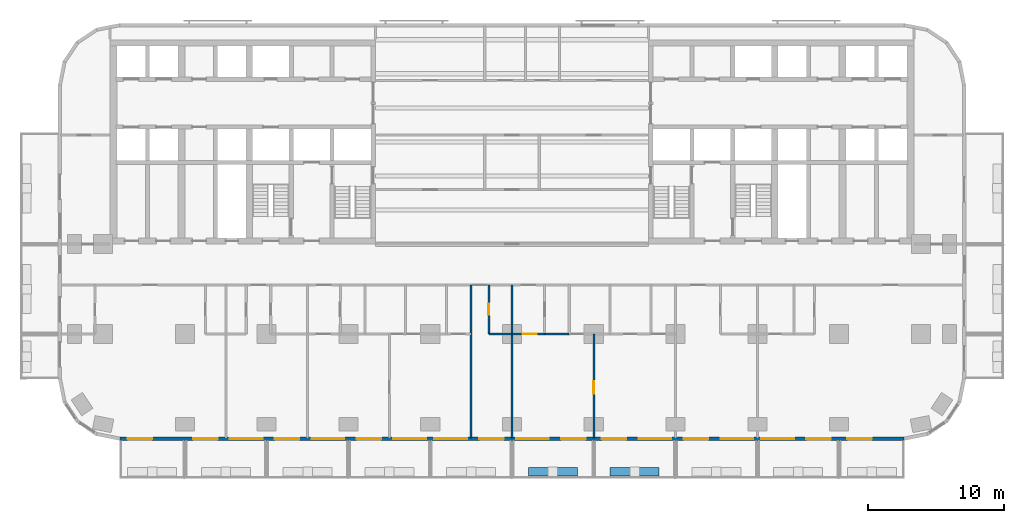
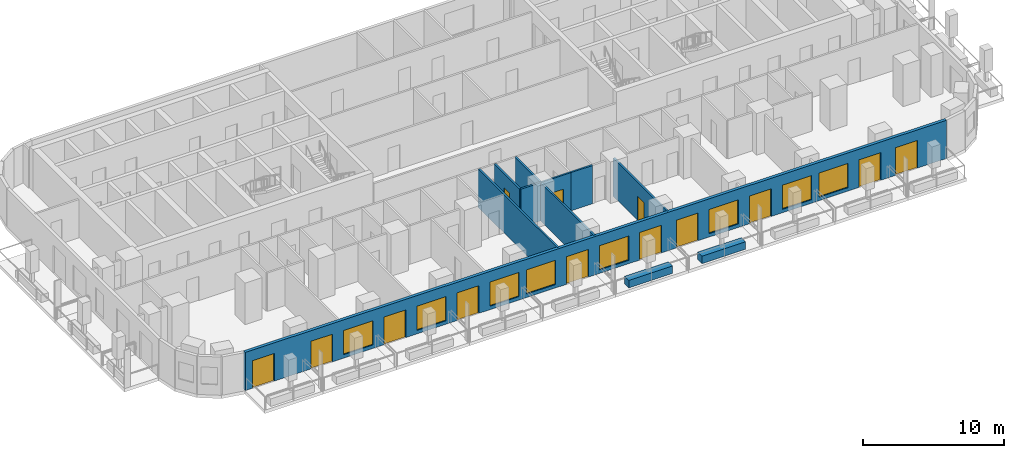
# One storey, part 5 of 14: 13 doors, 11 walls, 8 windows, 21 openings.
"""IFC4 building model written with IfcOpenShell, lengths in metres."""

import ifcopenshell
import ifcopenshell.guid

model = None  # the IFC model being written
_history = None  # IfcOwnerHistory: only IFC2X3 demands one
_inside = {}  # id of a spatial element -> (the spatial element, [elements in it])
_under = {}  # id of a project, library or spatial element -> (it, [spatial elements below it])
_declared = {}  # id of a project -> (the project, [libraries it declares])
_typed = {}  # id of a type object -> (the type object, [elements of that type])
_made_of = {}  # id of a material, layer set ... -> (it, [elements and type objects made of it])


def new_model(schema):
    """Start an empty IFC model of exactly this schema.

    Asked for "IFC4X3", IfcOpenShell would pick the latest addendum, in which some entities
    have other attributes; the version numbers below select the first issue.
    IFC2X3 requires an IfcOwnerHistory on every rooted entity: one is made here for all.
    """
    global model, _history
    if schema == "IFC4X3":
        model = ifcopenshell.file(schema_version=(4, 3, 0, 0))
    else:
        model = ifcopenshell.file(schema=schema)
    _inside.clear()
    _under.clear()
    _declared.clear()
    _typed.clear()
    _made_of.clear()
    _history = None
    if model.schema == "IFC2X3":
        org = make("IfcOrganization", Name="unknown")
        user = make(
            "IfcPersonAndOrganization",
            ThePerson=make("IfcPerson", FamilyName="unknown"),
            TheOrganization=org,
        )
        app = make(
            "IfcApplication",
            ApplicationDeveloper=org,
            Version="unknown",
            ApplicationFullName="unknown",
            ApplicationIdentifier="unknown",
        )
        _history = make(
            "IfcOwnerHistory",
            OwningUser=user,
            OwningApplication=app,
            ChangeAction="ADDED",
            CreationDate=0,
        )
    return model


def make(cls, **values):
    """One entity of the class cls with the attributes given. An attribute that is None is left unset."""
    return model.create_entity(
        cls, **{name: value for name, value in values.items() if value is not None}
    )


def rooted(cls, **values):
    """An entity with a GlobalId (a new one), such as an element, a storey or a relation."""
    return make(cls, GlobalId=ifcopenshell.guid.new(), OwnerHistory=_history, **values)


def si_unit(unit_type, name, prefix=None):
    """IfcSIUnit, for example si_unit("LENGTHUNIT", "METRE", prefix="MILLI")."""
    return make("IfcSIUnit", UnitType=unit_type, Prefix=prefix, Name=name)


def assignment(units):
    """IfcUnitAssignment: the units of a project."""
    return None if units is None else make("IfcUnitAssignment", Units=units)


def point(xyz):
    """IfcCartesianPoint."""
    return None if xyz is None else make("IfcCartesianPoint", Coordinates=xyz)


def direction(xyz):
    """IfcDirection."""
    return None if xyz is None else make("IfcDirection", DirectionRatios=xyz)


def frame(location, z_axis=None, x_axis=None):
    """IfcAxis2Placement3D, a coordinate frame: its origin and axes. An axis left out is left unset."""
    return make(
        "IfcAxis2Placement3D",
        Location=point(location),
        Axis=direction(z_axis),
        RefDirection=direction(x_axis),
    )


def frame_2d(location, x_axis=None):
    """IfcAxis2Placement2D, a coordinate frame in the plane: its origin and x axis."""
    return make(
        "IfcAxis2Placement2D", Location=point(location), RefDirection=direction(x_axis)
    )


def origin():
    """The frame at (0, 0, 0) with its axes left unset."""
    return frame((0.0, 0.0, 0.0))


def place(relative_to, where):
    """IfcLocalPlacement: puts the frame where relative to a parent placement (None: the world)."""
    return make(
        "IfcLocalPlacement", PlacementRelTo=relative_to, RelativePlacement=where
    )


def context(
    kind, dimensions, precision=None, world=None, true_north=None, identifier=None
):
    """IfcGeometricRepresentationContext, for example the 3D "Model" context."""
    return make(
        "IfcGeometricRepresentationContext",
        ContextIdentifier=identifier,
        ContextType=kind,
        CoordinateSpaceDimension=dimensions,
        Precision=precision,
        WorldCoordinateSystem=world,
        TrueNorth=true_north,
    )


def subcontext(parent, identifier, kind, view, scale=None):
    """IfcGeometricRepresentationSubContext, for example "Body" below "Model"."""
    return make(
        "IfcGeometricRepresentationSubContext",
        ContextIdentifier=identifier,
        ContextType=kind,
        ParentContext=parent,
        TargetScale=scale,
        TargetView=view,
    )


def project(units=None, contexts=None):
    """IfcProject with its units and contexts."""
    return rooted(
        "IfcProject",
        Name="project",
        RepresentationContexts=contexts,
        UnitsInContext=assignment(units),
    )


def spatial(cls, under=None, at=None, **own):
    """A site, building, storey or space (cls), placed at a placement, below another one or the project."""
    s = rooted(cls, ObjectPlacement=at, **own)
    if under is not None:
        _under.setdefault(under.id(), (under, []))[1].append(s)
    return s


def profile(cls, at=None, kind="AREA", **sizes):
    """A parametric profile (cls). Its sizes go by their IFC names, for example OverallWidth=200.0."""
    return make(cls, ProfileType=kind, Position=at, **sizes)


def rectangle(**sizes):
    """IfcRectangleProfileDef."""
    return profile("IfcRectangleProfileDef", **sizes)


def extrude(swept, where, along, depth):
    """IfcExtrudedAreaSolid: the profile swept, set in the frame where, extruded along a direction by depth."""
    return make(
        "IfcExtrudedAreaSolid",
        SweptArea=swept,
        Position=where,
        ExtrudedDirection=direction(along),
        Depth=depth,
    )


def shape(context_of_items, identifier, shape_type, items):
    """IfcShapeRepresentation: the items that make up one representation, for example the "Body"."""
    return make(
        "IfcShapeRepresentation",
        ContextOfItems=context_of_items,
        RepresentationIdentifier=identifier,
        RepresentationType=shape_type,
        Items=items,
    )


def material(Name=None, Category=None):
    """IfcMaterial."""
    return make("IfcMaterial", Name=Name, Category=Category)


def layer(
    of_material, thickness, ventilated=None, Name=None, Category=None, Priority=None
):
    """IfcMaterialLayer: one layer of a wall or slab, of a material (None: an air gap)."""
    return make(
        "IfcMaterialLayer",
        Material=of_material,
        LayerThickness=thickness,
        IsVentilated=ventilated,
        Name=Name,
        Category=Category,
        Priority=Priority,
    )


def layer_set(layers, Name=None):
    """IfcMaterialLayerSet."""
    return make("IfcMaterialLayerSet", MaterialLayers=layers, LayerSetName=Name)


def made_of(thing, what):
    """Note that an element or type object is made of a material, layer set ...; save() writes the relation."""
    if what is not None:
        _made_of.setdefault(what.id(), (what, []))[1].append(thing)
    return thing


def type_object(cls, material=None, **own):
    """A type object (cls), such as IfcWallType, which elements share."""
    return made_of(rooted(cls, **own), material)


def element(
    cls,
    number,
    at=None,
    inside=None,
    cuts=None,
    type_object=None,
    material=None,
    context=None,
    identifier="Body",
    shape_type=None,
    held_by="IfcProductDefinitionShape",
    body=None,
    shapes=None,
    **own,
):
    """One element of the class cls, such as IfcWall. Its Tag is "e" and its number.

    at: its placement. inside: the storey or other place that contains it. cuts: it is an
    opening in that element (IfcRelVoidsElement). A single representation is given by context,
    identifier, shape_type and body (its items); several are given by shapes. held_by: the class
    of the entity that holds the representations. save() writes the other relations.
    """
    e = rooted(cls, Tag="e%d" % number, ObjectPlacement=at, **own)
    if body is not None:
        shapes = [shape(context, identifier, shape_type, body)]
    if shapes is not None:
        e.Representation = make(held_by, Representations=shapes)
    if inside is not None:
        _inside.setdefault(inside.id(), (inside, []))[1].append(e)
    if cuts is not None:
        rooted(
            "IfcRelVoidsElement", RelatingBuildingElement=cuts, RelatedOpeningElement=e
        )
    if type_object is not None:
        _typed.setdefault(type_object.id(), (type_object, []))[1].append(e)
    return made_of(e, material)


def fill(opening, filler):
    """IfcRelFillsElement: the door or window that sits in an opening."""
    return rooted(
        "IfcRelFillsElement",
        RelatingOpeningElement=opening,
        RelatedBuildingElement=filler,
    )


def aggregate(whole, parts):
    """IfcRelAggregates: a whole, such as a stair, and the parts it consists of."""
    return rooted("IfcRelAggregates", RelatingObject=whole, RelatedObjects=parts)


def save(model, path):
    """Write the relations noted so far, then the file.

    IfcRelAggregates (storeys below a building ...), IfcRelContainedInSpatialStructure (elements
    in a storey), IfcRelDefinesByType, IfcRelAssociatesMaterial and IfcRelDeclares: one each for
    every whole, place, type object, material and project.
    """
    for whole, parts in _under.values():
        aggregate(whole, parts)
    for where, things in _inside.values():
        rooted(
            "IfcRelContainedInSpatialStructure",
            RelatedElements=things,
            RelatingStructure=where,
        )
    for kind, things in _typed.values():
        rooted("IfcRelDefinesByType", RelatedObjects=things, RelatingType=kind)
    for what, things in _made_of.values():
        rooted("IfcRelAssociatesMaterial", RelatedObjects=things, RelatingMaterial=what)
    for by, libraries in _declared.values():
        rooted("IfcRelDeclares", RelatingContext=by, RelatedDefinitions=libraries)
    model.write(path)


model = new_model("IFC4")

# Units and contexts
model_context = context("Model", 3, precision=1e-05, world=origin(), true_north=direction((0.0, 1.0)))
body_context = subcontext(model_context, "Body", "Model", "MODEL_VIEW")
ifc_project = project(units=[si_unit("LENGTHUNIT", "METRE"), si_unit("AREAUNIT", "SQUARE_METRE"), si_unit("VOLUMEUNIT", "CUBIC_METRE"), si_unit("PLANEANGLEUNIT", "RADIAN"), si_unit("MASSUNIT", "GRAM", prefix="KILO")], contexts=[model_context])

# Site, building, storey
site_placement = place(None, origin())
site = spatial("IfcSite", under=ifc_project, at=site_placement, CompositionType="ELEMENT")
building_placement = place(site_placement, origin())
building = spatial("IfcBuilding", under=site, at=building_placement, Name="Torana Hotel and Residences", CompositionType="ELEMENT")
storey_placement = place(building_placement, frame((0.0, 0.0, 99.60009765625)))
storey = spatial("IfcBuildingStorey", under=building, at=storey_placement, Name="L25", CompositionType="ELEMENT", Elevation=99.60009765625)

# Wall, openings, doors, windows
ifc_material_1 = material(Name="Black aluminium composite panel", Category="aluminium")
ifc_layer_1 = layer(ifc_material_1, 0.00390625, Name="Cladding", Category="cladding")
ifc_material_2 = material(Name="Ventilated air cavity")
ifc_layer_2 = layer(ifc_material_2, 0.0400390625, Name="Ventilated cavity", Category="cavity")
ifc_material_3 = material(Name="Mineral wool insulation")
ifc_layer_3 = layer(ifc_material_3, 0.090087890625, Name="Insulation", Category="insulation")
ifc_material_4 = material(Name="Steel S280GD", Category="steel")
ifc_layer_4 = layer(ifc_material_4, 0.092041015625, Name="Steel stud frame", Category="structure")
ifc_material_5 = material(Name="Fire rated plasterboard")
ifc_layer_5 = layer(ifc_material_5, 0.011962890625, Name="Inner board", Category="finish")
ifc_layer_6 = layer(ifc_material_5, 0.011962890625, Name="Second board", Category="finish")
ifc_layer_set_1 = layer_set([ifc_layer_1, ifc_layer_2, ifc_layer_3, ifc_layer_4, ifc_layer_5, ifc_layer_6], Name="EW1 EXTERNAL WALL BLACK METAL CLAD 250")
wall_type_1 = type_object("IfcWallType", Name="EW1 EXTERNAL WALL BLACK METAL CLAD 250", PredefinedType="SOLIDWALL", material=ifc_layer_set_1)
wall_1_placement = place(storey_placement, frame((-28.775390625, -29.27490234375, 0.0), z_axis=(0.0, 0.0, 1.0), x_axis=(1.0, 0.0, 0.0)))
wall_1 = element("IfcWall", 1, at=wall_1_placement, inside=storey, type_object=wall_type_1, Name="External wall L25 e0.14", PredefinedType="SOLIDWALL", context=body_context, shape_type="SweptSolid", body=[
    extrude(rectangle(XDim=57.55078125, YDim=0.25, at=frame_2d((28.775390625, 0.0))), origin(), (0.0, 0.0, 1.0), 3.31982421875),
])
opening_1_placement = place(wall_1_placement, frame((0.575439453125, 0.0, 0.0)))
opening_1 = element("IfcOpeningElement", 2, at=opening_1_placement, cuts=wall_1, Name="Opening L25-E01", PredefinedType="OPENING", context=body_context, shape_type="SweptSolid", body=[
    extrude(rectangle(XDim=1.800048828125, YDim=2.39990234375, at=frame_2d((0.89990234375, 1.199951171875))), frame((0.0, 0.135009765625, 0.0), z_axis=(0.0, -1.0, 0.0), x_axis=(1.0, 0.0, 0.0)), (0.0, 0.0, 1.0), 0.27001953125),
])
opening_2_placement = place(wall_1_placement, frame((5.37548828125, 0.0, 0.0)))
opening_2 = element("IfcOpeningElement", 3, at=opening_2_placement, cuts=wall_1, Name="Opening L25-E02", PredefinedType="OPENING", context=body_context, shape_type="SweptSolid", body=[
    extrude(rectangle(XDim=1.800048828125, YDim=2.39990234375, at=frame_2d((0.89990234375, 1.199951171875))), frame((0.0, 0.135009765625, 0.0), z_axis=(0.0, -1.0, 0.0), x_axis=(1.0, 0.0, 0.0)), (0.0, 0.0, 1.0), 0.27001953125),
])
opening_3_placement = place(wall_1_placement, frame((8.075439453125, 0.0, 0.300048828125)))
opening_3 = element("IfcOpeningElement", 4, at=opening_3_placement, cuts=wall_1, Name="Opening W1", PredefinedType="OPENING", context=body_context, shape_type="SweptSolid", body=[
    extrude(rectangle(XDim=2.39990234375, YDim=2.10009765625, at=frame_2d((1.199951171875, 1.050048828125))), frame((0.0, 0.135009765625, 0.0), z_axis=(0.0, -1.0, 0.0), x_axis=(1.0, 0.0, 0.0)), (0.0, 0.0, 1.0), 0.27001953125),
])
opening_4_placement = place(wall_1_placement, frame((11.37548828125, 0.0, 0.0)))
opening_4 = element("IfcOpeningElement", 5, at=opening_4_placement, cuts=wall_1, Name="Opening L25-E03", PredefinedType="OPENING", context=body_context, shape_type="SweptSolid", body=[
    extrude(rectangle(XDim=1.800048828125, YDim=2.39990234375, at=frame_2d((0.89990234375, 1.199951171875))), frame((0.0, 0.135009765625, 0.0), z_axis=(0.0, -1.0, 0.0), x_axis=(1.0, 0.0, 0.0)), (0.0, 0.0, 1.0), 0.27001953125),
])
opening_5_placement = place(wall_1_placement, frame((14.075439453125, 0.0, 0.300048828125)))
opening_5 = element("IfcOpeningElement", 6, at=opening_5_placement, cuts=wall_1, Name="Opening W1", PredefinedType="OPENING", context=body_context, shape_type="SweptSolid", body=[
    extrude(rectangle(XDim=2.39990234375, YDim=2.10009765625, at=frame_2d((1.199951171875, 1.050048828125))), frame((0.0, 0.135009765625, 0.0), z_axis=(0.0, -1.0, 0.0), x_axis=(1.0, 0.0, 0.0)), (0.0, 0.0, 1.0), 0.27001953125),
])
opening_6_placement = place(wall_1_placement, frame((17.37548828125, 0.0, 0.0)))
opening_6 = element("IfcOpeningElement", 7, at=opening_6_placement, cuts=wall_1, Name="Opening L25-E04", PredefinedType="OPENING", context=body_context, shape_type="SweptSolid", body=[
    extrude(rectangle(XDim=1.800048828125, YDim=2.39990234375, at=frame_2d((0.89990234375, 1.199951171875))), frame((0.0, 0.135009765625, 0.0), z_axis=(0.0, -1.0, 0.0), x_axis=(1.0, 0.0, 0.0)), (0.0, 0.0, 1.0), 0.27001953125),
])
opening_7_placement = place(wall_1_placement, frame((20.075439453125, 0.0, 0.300048828125)))
opening_7 = element("IfcOpeningElement", 8, at=opening_7_placement, cuts=wall_1, Name="Opening W1", PredefinedType="OPENING", context=body_context, shape_type="SweptSolid", body=[
    extrude(rectangle(XDim=2.39990234375, YDim=2.10009765625, at=frame_2d((1.199951171875, 1.050048828125))), frame((0.0, 0.135009765625, 0.0), z_axis=(0.0, -1.0, 0.0), x_axis=(1.0, 0.0, 0.0)), (0.0, 0.0, 1.0), 0.27001953125),
])
opening_8_placement = place(wall_1_placement, frame((23.075439453125, 0.0, 0.300048828125)))
opening_8 = element("IfcOpeningElement", 9, at=opening_8_placement, cuts=wall_1, Name="Opening W1", PredefinedType="OPENING", context=body_context, shape_type="SweptSolid", body=[
    extrude(rectangle(XDim=2.39990234375, YDim=2.10009765625, at=frame_2d((1.199951171875, 1.050048828125))), frame((0.0, 0.135009765625, 0.0), z_axis=(0.0, -1.0, 0.0), x_axis=(1.0, 0.0, 0.0)), (0.0, 0.0, 1.0), 0.27001953125),
])
opening_9_placement = place(wall_1_placement, frame((26.37548828125, 0.0, 0.0)))
opening_9 = element("IfcOpeningElement", 10, at=opening_9_placement, cuts=wall_1, Name="Opening L25-E05", PredefinedType="OPENING", context=body_context, shape_type="SweptSolid", body=[
    extrude(rectangle(XDim=1.800048828125, YDim=2.39990234375, at=frame_2d((0.89990234375, 1.199951171875))), frame((0.0, 0.135009765625, 0.0), z_axis=(0.0, -1.0, 0.0), x_axis=(1.0, 0.0, 0.0)), (0.0, 0.0, 1.0), 0.27001953125),
])
opening_10_placement = place(wall_1_placement, frame((29.075439453125, 0.0, 0.300048828125)))
opening_10 = element("IfcOpeningElement", 11, at=opening_10_placement, cuts=wall_1, Name="Opening W1", PredefinedType="OPENING", context=body_context, shape_type="SweptSolid", body=[
    extrude(rectangle(XDim=2.39990234375, YDim=2.10009765625, at=frame_2d((1.199951171875, 1.050048828125))), frame((0.0, 0.135009765625, 0.0), z_axis=(0.0, -1.0, 0.0), x_axis=(1.0, 0.0, 0.0)), (0.0, 0.0, 1.0), 0.27001953125),
])
opening_11_placement = place(wall_1_placement, frame((32.37548828125, 0.0, 0.0)))
opening_11 = element("IfcOpeningElement", 12, at=opening_11_placement, cuts=wall_1, Name="Opening L25-E06", PredefinedType="OPENING", context=body_context, shape_type="SweptSolid", body=[
    extrude(rectangle(XDim=1.800048828125, YDim=2.39990234375, at=frame_2d((0.89990234375, 1.199951171875))), frame((0.0, 0.135009765625, 0.0), z_axis=(0.0, -1.0, 0.0), x_axis=(1.0, 0.0, 0.0)), (0.0, 0.0, 1.0), 0.27001953125),
])
opening_12_placement = place(wall_1_placement, frame((35.37548828125, 0.0, 0.0)))
opening_12 = element("IfcOpeningElement", 13, at=opening_12_placement, cuts=wall_1, Name="Opening L25-E07", PredefinedType="OPENING", context=body_context, shape_type="SweptSolid", body=[
    extrude(rectangle(XDim=1.800048828125, YDim=2.39990234375, at=frame_2d((0.89990234375, 1.199951171875))), frame((0.0, 0.135009765625, 0.0), z_axis=(0.0, -1.0, 0.0), x_axis=(1.0, 0.0, 0.0)), (0.0, 0.0, 1.0), 0.27001953125),
])
opening_13_placement = place(wall_1_placement, frame((38.075439453125, 0.0, 0.300048828125)))
opening_13 = element("IfcOpeningElement", 14, at=opening_13_placement, cuts=wall_1, Name="Opening W1", PredefinedType="OPENING", context=body_context, shape_type="SweptSolid", body=[
    extrude(rectangle(XDim=2.39990234375, YDim=2.10009765625, at=frame_2d((1.199951171875, 1.050048828125))), frame((0.0, 0.135009765625, 0.0), z_axis=(0.0, -1.0, 0.0), x_axis=(1.0, 0.0, 0.0)), (0.0, 0.0, 1.0), 0.27001953125),
])
opening_14_placement = place(wall_1_placement, frame((41.37548828125, 0.0, 0.0)))
opening_14 = element("IfcOpeningElement", 15, at=opening_14_placement, cuts=wall_1, Name="Opening L25-E08", PredefinedType="OPENING", context=body_context, shape_type="SweptSolid", body=[
    extrude(rectangle(XDim=1.800048828125, YDim=2.39990234375, at=frame_2d((0.89990234375, 1.199951171875))), frame((0.0, 0.135009765625, 0.0), z_axis=(0.0, -1.0, 0.0), x_axis=(1.0, 0.0, 0.0)), (0.0, 0.0, 1.0), 0.27001953125),
])
opening_15_placement = place(wall_1_placement, frame((44.075439453125, 0.0, 0.300048828125)))
opening_15 = element("IfcOpeningElement", 16, at=opening_15_placement, cuts=wall_1, Name="Opening W1", PredefinedType="OPENING", context=body_context, shape_type="SweptSolid", body=[
    extrude(rectangle(XDim=2.39990234375, YDim=2.10009765625, at=frame_2d((1.199951171875, 1.050048828125))), frame((0.0, 0.135009765625, 0.0), z_axis=(0.0, -1.0, 0.0), x_axis=(1.0, 0.0, 0.0)), (0.0, 0.0, 1.0), 0.27001953125),
])
opening_16_placement = place(wall_1_placement, frame((47.075439453125, 0.0, 0.300048828125)))
opening_16 = element("IfcOpeningElement", 17, at=opening_16_placement, cuts=wall_1, Name="Opening W1", PredefinedType="OPENING", context=body_context, shape_type="SweptSolid", body=[
    extrude(rectangle(XDim=2.39990234375, YDim=2.10009765625, at=frame_2d((1.199951171875, 1.050048828125))), frame((0.0, 0.135009765625, 0.0), z_axis=(0.0, -1.0, 0.0), x_axis=(1.0, 0.0, 0.0)), (0.0, 0.0, 1.0), 0.27001953125),
])
opening_17_placement = place(wall_1_placement, frame((50.37548828125, 0.0, 0.0)))
opening_17 = element("IfcOpeningElement", 18, at=opening_17_placement, cuts=wall_1, Name="Opening L25-E09", PredefinedType="OPENING", context=body_context, shape_type="SweptSolid", body=[
    extrude(rectangle(XDim=1.800048828125, YDim=2.39990234375, at=frame_2d((0.89990234375, 1.199951171875))), frame((0.0, 0.135009765625, 0.0), z_axis=(0.0, -1.0, 0.0), x_axis=(1.0, 0.0, 0.0)), (0.0, 0.0, 1.0), 0.27001953125),
])
opening_18_placement = place(wall_1_placement, frame((53.37548828125, 0.0, 0.0)))
opening_18 = element("IfcOpeningElement", 19, at=opening_18_placement, cuts=wall_1, Name="Opening L25-E10", PredefinedType="OPENING", context=body_context, shape_type="SweptSolid", body=[
    extrude(rectangle(XDim=1.800048828125, YDim=2.39990234375, at=frame_2d((0.89990234375, 1.199951171875))), frame((0.0, 0.135009765625, 0.0), z_axis=(0.0, -1.0, 0.0), x_axis=(1.0, 0.0, 0.0)), (0.0, 0.0, 1.0), 0.27001953125),
])
ifc_material_6 = material(Name="Dark glass in black aluminium frame", Category="aluminium")
door_type_1 = type_object("IfcDoorType", Name="DB1 BALCONY DOOR 1800x2400", OperationType="DOUBLE_DOOR_SINGLE_SWING", PredefinedType="DOOR", material=ifc_material_6)
door_1_placement = place(opening_1_placement, origin())
door_1 = element("IfcDoor", 20, at=door_1_placement, inside=storey, type_object=door_type_1, Name="Balcony door L25", OperationType="DOUBLE_DOOR_SINGLE_SWING", OverallHeight=2.39990234375, OverallWidth=1.800048828125, PredefinedType="DOOR", context=body_context, shape_type="SweptSolid", body=[
    extrude(rectangle(XDim=1.800048828125, YDim=2.39990234375, at=frame_2d((0.89990234375, 1.199951171875))), frame((0.0, 0.02490234375, 0.0), z_axis=(0.0, -1.0, 0.0), x_axis=(1.0, 0.0, 0.0)), (0.0, 0.0, 1.0), 0.050048828125),
])
fill(opening_1, door_1)
door_2_placement = place(opening_2_placement, frame((0.89990234375, 0.0, 0.0), z_axis=(0.0, 0.0, 1.0), x_axis=(-1.0, 0.0, 0.0)))
door_2 = element("IfcDoor", 21, at=door_2_placement, inside=storey, type_object=door_type_1, Name="Balcony door L25", OperationType="DOUBLE_DOOR_SINGLE_SWING", OverallHeight=2.39990234375, OverallWidth=1.800048828125, PredefinedType="DOOR", context=body_context, shape_type="SweptSolid", body=[
    extrude(rectangle(XDim=1.800048828125, YDim=2.39990234375, at=frame_2d((0.0, 1.199951171875))), frame((0.0, -0.02490234375, 0.0), z_axis=(0.0, 1.0, 0.0), x_axis=(-1.0, 0.0, 0.0)), (0.0, 0.0, 1.0), 0.050048828125),
])
fill(opening_2, door_2)
door_3_placement = place(opening_4_placement, frame((0.89990234375, 0.0, 0.0), z_axis=(0.0, 0.0, 1.0), x_axis=(-1.0, 0.0, 0.0)))
door_3 = element("IfcDoor", 22, at=door_3_placement, inside=storey, type_object=door_type_1, Name="Balcony door L25", OperationType="DOUBLE_DOOR_SINGLE_SWING", OverallHeight=2.39990234375, OverallWidth=1.800048828125, PredefinedType="DOOR", context=body_context, shape_type="SweptSolid", body=[
    extrude(rectangle(XDim=1.800048828125, YDim=2.39990234375, at=frame_2d((0.0, 1.199951171875))), frame((0.0, -0.02490234375, 0.0), z_axis=(0.0, 1.0, 0.0), x_axis=(-1.0, 0.0, 0.0)), (0.0, 0.0, 1.0), 0.050048828125),
])
fill(opening_4, door_3)
door_4_placement = place(opening_6_placement, frame((0.89990234375, 0.0, 0.0), z_axis=(0.0, 0.0, 1.0), x_axis=(-1.0, 0.0, 0.0)))
door_4 = element("IfcDoor", 23, at=door_4_placement, inside=storey, type_object=door_type_1, Name="Balcony door L25", OperationType="DOUBLE_DOOR_SINGLE_SWING", OverallHeight=2.39990234375, OverallWidth=1.800048828125, PredefinedType="DOOR", context=body_context, shape_type="SweptSolid", body=[
    extrude(rectangle(XDim=1.800048828125, YDim=2.39990234375, at=frame_2d((0.0, 1.199951171875))), frame((0.0, -0.02490234375, 0.0), z_axis=(0.0, 1.0, 0.0), x_axis=(-1.0, 0.0, 0.0)), (0.0, 0.0, 1.0), 0.050048828125),
])
fill(opening_6, door_4)
door_5_placement = place(opening_9_placement, frame((0.89990234375, 0.0, 0.0), z_axis=(0.0, 0.0, 1.0), x_axis=(-1.0, 0.0, 0.0)))
door_5 = element("IfcDoor", 24, at=door_5_placement, inside=storey, type_object=door_type_1, Name="Balcony door L25", OperationType="DOUBLE_DOOR_SINGLE_SWING", OverallHeight=2.39990234375, OverallWidth=1.800048828125, PredefinedType="DOOR", context=body_context, shape_type="SweptSolid", body=[
    extrude(rectangle(XDim=1.800048828125, YDim=2.39990234375, at=frame_2d((0.0, 1.199951171875))), frame((0.0, -0.02490234375, 0.0), z_axis=(0.0, 1.0, 0.0), x_axis=(-1.0, 0.0, 0.0)), (0.0, 0.0, 1.0), 0.050048828125),
])
fill(opening_9, door_5)
door_6_placement = place(opening_11_placement, frame((0.89990234375, 0.0, 0.0), z_axis=(0.0, 0.0, 1.0), x_axis=(-1.0, 0.0, 0.0)))
door_6 = element("IfcDoor", 25, at=door_6_placement, inside=storey, type_object=door_type_1, Name="Balcony door L25", OperationType="DOUBLE_DOOR_SINGLE_SWING", OverallHeight=2.39990234375, OverallWidth=1.800048828125, PredefinedType="DOOR", context=body_context, shape_type="SweptSolid", body=[
    extrude(rectangle(XDim=1.800048828125, YDim=2.39990234375, at=frame_2d((0.0, 1.199951171875))), frame((0.0, -0.02490234375, 0.0), z_axis=(0.0, 1.0, 0.0), x_axis=(-1.0, 0.0, 0.0)), (0.0, 0.0, 1.0), 0.050048828125),
])
fill(opening_11, door_6)
door_7_placement = place(opening_12_placement, frame((0.89990234375, 0.0, 0.0), z_axis=(0.0, 0.0, 1.0), x_axis=(-1.0, 0.0, 0.0)))
door_7 = element("IfcDoor", 26, at=door_7_placement, inside=storey, type_object=door_type_1, Name="Balcony door L25", OperationType="DOUBLE_DOOR_SINGLE_SWING", OverallHeight=2.39990234375, OverallWidth=1.800048828125, PredefinedType="DOOR", context=body_context, shape_type="SweptSolid", body=[
    extrude(rectangle(XDim=1.800048828125, YDim=2.39990234375, at=frame_2d((0.0, 1.199951171875))), frame((0.0, -0.02490234375, 0.0), z_axis=(0.0, 1.0, 0.0), x_axis=(-1.0, 0.0, 0.0)), (0.0, 0.0, 1.0), 0.050048828125),
])
fill(opening_12, door_7)
door_8_placement = place(opening_14_placement, frame((0.89990234375, 0.0, 0.0), z_axis=(0.0, 0.0, 1.0), x_axis=(-1.0, 0.0, 0.0)))
door_8 = element("IfcDoor", 27, at=door_8_placement, inside=storey, type_object=door_type_1, Name="Balcony door L25", OperationType="DOUBLE_DOOR_SINGLE_SWING", OverallHeight=2.39990234375, OverallWidth=1.800048828125, PredefinedType="DOOR", context=body_context, shape_type="SweptSolid", body=[
    extrude(rectangle(XDim=1.800048828125, YDim=2.39990234375, at=frame_2d((0.0, 1.199951171875))), frame((0.0, -0.02490234375, 0.0), z_axis=(0.0, 1.0, 0.0), x_axis=(-1.0, 0.0, 0.0)), (0.0, 0.0, 1.0), 0.050048828125),
])
fill(opening_14, door_8)
door_9_placement = place(opening_17_placement, frame((0.89990234375, 0.0, 0.0), z_axis=(0.0, 0.0, 1.0), x_axis=(-1.0, 0.0, 0.0)))
door_9 = element("IfcDoor", 28, at=door_9_placement, inside=storey, type_object=door_type_1, Name="Balcony door L25", OperationType="DOUBLE_DOOR_SINGLE_SWING", OverallHeight=2.39990234375, OverallWidth=1.800048828125, PredefinedType="DOOR", context=body_context, shape_type="SweptSolid", body=[
    extrude(rectangle(XDim=1.800048828125, YDim=2.39990234375, at=frame_2d((0.0, 1.199951171875))), frame((0.0, -0.02490234375, 0.0), z_axis=(0.0, 1.0, 0.0), x_axis=(-1.0, 0.0, 0.0)), (0.0, 0.0, 1.0), 0.050048828125),
])
fill(opening_17, door_9)
door_10_placement = place(opening_18_placement, frame((0.89990234375, 0.0, 0.0), z_axis=(0.0, 0.0, 1.0), x_axis=(-1.0, 0.0, 0.0)))
door_10 = element("IfcDoor", 29, at=door_10_placement, inside=storey, type_object=door_type_1, Name="Balcony door L25", OperationType="DOUBLE_DOOR_SINGLE_SWING", OverallHeight=2.39990234375, OverallWidth=1.800048828125, PredefinedType="DOOR", context=body_context, shape_type="SweptSolid", body=[
    extrude(rectangle(XDim=1.800048828125, YDim=2.39990234375, at=frame_2d((0.0, 1.199951171875))), frame((0.0, -0.02490234375, 0.0), z_axis=(0.0, 1.0, 0.0), x_axis=(-1.0, 0.0, 0.0)), (0.0, 0.0, 1.0), 0.050048828125),
])
fill(opening_18, door_10)
ifc_material_7 = material(Name="Dark glass in black aluminium frame", Category="aluminium")
window_type = type_object("IfcWindowType", Name="W1 HOTEL ROOM WINDOW 2400x2100", PartitioningType="SINGLE_PANEL", PredefinedType="WINDOW", material=ifc_material_7)
window_1_placement = place(opening_3_placement, origin())
window_1 = element("IfcWindow", 30, at=window_1_placement, inside=storey, type_object=window_type, Name="Window L25", OverallHeight=2.10009765625, OverallWidth=2.39990234375, PartitioningType="SINGLE_PANEL", PredefinedType="WINDOW", context=body_context, shape_type="SweptSolid", body=[
    extrude(rectangle(XDim=2.39990234375, YDim=2.10009765625, at=frame_2d((1.199951171875, 1.050048828125))), frame((0.0, 0.030029296875, 0.0), z_axis=(0.0, -1.0, 0.0), x_axis=(1.0, 0.0, 0.0)), (0.0, 0.0, 1.0), 0.06005859375),
])
fill(opening_3, window_1)
window_2_placement = place(opening_5_placement, origin())
window_2 = element("IfcWindow", 31, at=window_2_placement, inside=storey, type_object=window_type, Name="Window L25", OverallHeight=2.10009765625, OverallWidth=2.39990234375, PartitioningType="SINGLE_PANEL", PredefinedType="WINDOW", context=body_context, shape_type="SweptSolid", body=[
    extrude(rectangle(XDim=2.39990234375, YDim=2.10009765625, at=frame_2d((1.199951171875, 1.050048828125))), frame((0.0, 0.030029296875, 0.0), z_axis=(0.0, -1.0, 0.0), x_axis=(1.0, 0.0, 0.0)), (0.0, 0.0, 1.0), 0.06005859375),
])
fill(opening_5, window_2)
window_3_placement = place(opening_7_placement, origin())
window_3 = element("IfcWindow", 32, at=window_3_placement, inside=storey, type_object=window_type, Name="Window L25", OverallHeight=2.10009765625, OverallWidth=2.39990234375, PartitioningType="SINGLE_PANEL", PredefinedType="WINDOW", context=body_context, shape_type="SweptSolid", body=[
    extrude(rectangle(XDim=2.39990234375, YDim=2.10009765625, at=frame_2d((1.199951171875, 1.050048828125))), frame((0.0, 0.030029296875, 0.0), z_axis=(0.0, -1.0, 0.0), x_axis=(1.0, 0.0, 0.0)), (0.0, 0.0, 1.0), 0.06005859375),
])
fill(opening_7, window_3)
window_4_placement = place(opening_8_placement, origin())
window_4 = element("IfcWindow", 33, at=window_4_placement, inside=storey, type_object=window_type, Name="Window L25", OverallHeight=2.10009765625, OverallWidth=2.39990234375, PartitioningType="SINGLE_PANEL", PredefinedType="WINDOW", context=body_context, shape_type="SweptSolid", body=[
    extrude(rectangle(XDim=2.39990234375, YDim=2.10009765625, at=frame_2d((1.199951171875, 1.050048828125))), frame((0.0, 0.030029296875, 0.0), z_axis=(0.0, -1.0, 0.0), x_axis=(1.0, 0.0, 0.0)), (0.0, 0.0, 1.0), 0.06005859375),
])
fill(opening_8, window_4)
window_5_placement = place(opening_10_placement, origin())
window_5 = element("IfcWindow", 34, at=window_5_placement, inside=storey, type_object=window_type, Name="Window L25", OverallHeight=2.10009765625, OverallWidth=2.39990234375, PartitioningType="SINGLE_PANEL", PredefinedType="WINDOW", context=body_context, shape_type="SweptSolid", body=[
    extrude(rectangle(XDim=2.39990234375, YDim=2.10009765625, at=frame_2d((1.199951171875, 1.050048828125))), frame((0.0, 0.030029296875, 0.0), z_axis=(0.0, -1.0, 0.0), x_axis=(1.0, 0.0, 0.0)), (0.0, 0.0, 1.0), 0.06005859375),
])
fill(opening_10, window_5)
window_6_placement = place(opening_13_placement, origin())
window_6 = element("IfcWindow", 35, at=window_6_placement, inside=storey, type_object=window_type, Name="Window L25", OverallHeight=2.10009765625, OverallWidth=2.39990234375, PartitioningType="SINGLE_PANEL", PredefinedType="WINDOW", context=body_context, shape_type="SweptSolid", body=[
    extrude(rectangle(XDim=2.39990234375, YDim=2.10009765625, at=frame_2d((1.199951171875, 1.050048828125))), frame((0.0, 0.030029296875, 0.0), z_axis=(0.0, -1.0, 0.0), x_axis=(1.0, 0.0, 0.0)), (0.0, 0.0, 1.0), 0.06005859375),
])
fill(opening_13, window_6)
window_7_placement = place(opening_15_placement, origin())
window_7 = element("IfcWindow", 36, at=window_7_placement, inside=storey, type_object=window_type, Name="Window L25", OverallHeight=2.10009765625, OverallWidth=2.39990234375, PartitioningType="SINGLE_PANEL", PredefinedType="WINDOW", context=body_context, shape_type="SweptSolid", body=[
    extrude(rectangle(XDim=2.39990234375, YDim=2.10009765625, at=frame_2d((1.199951171875, 1.050048828125))), frame((0.0, 0.030029296875, 0.0), z_axis=(0.0, -1.0, 0.0), x_axis=(1.0, 0.0, 0.0)), (0.0, 0.0, 1.0), 0.06005859375),
])
fill(opening_15, window_7)
window_8_placement = place(opening_16_placement, origin())
window_8 = element("IfcWindow", 37, at=window_8_placement, inside=storey, type_object=window_type, Name="Window L25", OverallHeight=2.10009765625, OverallWidth=2.39990234375, PartitioningType="SINGLE_PANEL", PredefinedType="WINDOW", context=body_context, shape_type="SweptSolid", body=[
    extrude(rectangle(XDim=2.39990234375, YDim=2.10009765625, at=frame_2d((1.199951171875, 1.050048828125))), frame((0.0, 0.030029296875, 0.0), z_axis=(0.0, -1.0, 0.0), x_axis=(1.0, 0.0, 0.0)), (0.0, 0.0, 1.0), 0.06005859375),
])
fill(opening_16, window_8)

# Wall
ifc_material_8 = material(Name="Gypsum plaster")
ifc_layer_7 = layer(ifc_material_8, 0.014892578125, Name="Plaster", Category="finish")
ifc_material_9 = material(Name="Concrete blockwork", Category="masonry")
ifc_layer_8 = layer(ifc_material_9, 0.1201171875, Name="Blockwork", Category="structure")
ifc_layer_9 = layer(ifc_material_8, 0.014892578125, Name="Plaster", Category="finish")
ifc_layer_set_2 = layer_set([ifc_layer_7, ifc_layer_8, ifc_layer_9], Name="FIRE PARTITION 150 BLOCKWORK")
wall_type_2 = type_object("IfcWallType", Name="FIRE PARTITION 150 BLOCKWORK", PredefinedType="PARTITIONING", material=ifc_layer_set_2)
wall_2_placement = place(storey_placement, frame((0.0, -21.60009765625, 0.0), z_axis=(0.0, 0.0, 1.0), x_axis=(0.0, 1.0, 0.0)))
element("IfcWall", 38, at=wall_2_placement, inside=storey, type_object=wall_type_2, Name="Partition L25", PredefinedType="PARTITIONING", context=body_context, shape_type="SweptSolid", body=[
    extrude(rectangle(XDim=3.60009765625, YDim=0.14990234375, at=frame_2d((1.800048828125, 0.0))), origin(), (0.0, 0.0, 1.0), 3.31982421875),
])

# Wall, opening, door
wall_3_placement = place(storey_placement, frame((0.0, -21.60009765625, 0.0), z_axis=(0.0, 0.0, 1.0), x_axis=(1.0, 0.0, 0.0)))
wall_3 = element("IfcWall", 39, at=wall_3_placement, inside=storey, type_object=wall_type_2, Name="Partition L25", PredefinedType="PARTITIONING", context=body_context, shape_type="SweptSolid", body=[
    extrude(rectangle(XDim=2.39990234375, YDim=0.14990234375, at=frame_2d((1.199951171875, 0.0))), origin(), (0.0, 0.0, 1.0), 3.31982421875),
])
opening_19_placement = place(wall_3_placement, frame((0.800048828125, 0.0, 0.0)))
opening_19 = element("IfcOpeningElement", 40, at=opening_19_placement, cuts=wall_3, Name="Opening L25-61", PredefinedType="OPENING", context=body_context, shape_type="SweptSolid", body=[
    extrude(rectangle(XDim=1.0, YDim=2.10009765625, at=frame_2d((0.5, 1.050048828125))), frame((0.0, 0.0849609375, 0.0), z_axis=(0.0, -1.0, 0.0), x_axis=(1.0, 0.0, 0.0)), (0.0, 0.0, 1.0), 0.169921875),
])
ifc_material_10 = material(Name="Steel S235", Category="steel")
door_type_2 = type_object("IfcDoorType", Name="ENTRY FIRE DOOR D6 1000x2100", OperationType="SINGLE_SWING_LEFT", PredefinedType="DOOR", material=ifc_material_10)
door_11_placement = place(opening_19_placement, frame((0.5, 0.0, 0.0), z_axis=(0.0, 0.0, 1.0), x_axis=(-1.0, 0.0, 0.0)))
door_11 = element("IfcDoor", 41, at=door_11_placement, inside=storey, type_object=door_type_2, Name="Door L25", OperationType="SINGLE_SWING_LEFT", OverallHeight=2.10009765625, OverallWidth=1.0, PredefinedType="DOOR", context=body_context, shape_type="SweptSolid", body=[
    extrude(rectangle(XDim=1.0, YDim=2.10009765625, at=frame_2d((0.0, 1.050048828125))), frame((0.0, -0.02490234375, 0.0), z_axis=(0.0, 1.0, 0.0), x_axis=(-1.0, 0.0, 0.0)), (0.0, 0.0, 1.0), 0.050048828125),
])
fill(opening_19, door_11)

ifc_material_11 = material(Name="Gypsum plasterboard")
ifc_layer_10 = layer(ifc_material_11, 0.012451171875, Name="Plasterboard", Category="finish")
ifc_layer_11 = layer(ifc_material_11, 0.012451171875, Name="Plasterboard", Category="finish")
ifc_layer_12 = layer(ifc_material_4, 0.10009765625, Name="Steel studs with mineral wool", Category="insulation")
ifc_layer_13 = layer(ifc_material_11, 0.012451171875, Name="Plasterboard", Category="finish")
ifc_layer_14 = layer(ifc_material_11, 0.012451171875, Name="Plasterboard", Category="finish")
ifc_layer_set_3 = layer_set([ifc_layer_10, ifc_layer_11, ifc_layer_12, ifc_layer_13, ifc_layer_14], Name="PARTITION 150 PLASTERBOARD")
wall_type_3 = type_object("IfcWallType", Name="PARTITION 150 PLASTERBOARD", PredefinedType="PARTITIONING", material=ifc_layer_set_3)
wall_4_placement = place(storey_placement, frame((6.0, -29.219970703125, 0.0), z_axis=(0.0, 0.0, 1.0), x_axis=(0.0, 1.0, 0.0)))
wall_4 = element("IfcWall", 42, at=wall_4_placement, inside=storey, type_object=wall_type_3, Name="Partition L25", PredefinedType="PARTITIONING", context=body_context, shape_type="SweptSolid", body=[
    extrude(rectangle(XDim=7.619873046875, YDim=0.14990234375, at=frame_2d((3.81005859375, 0.0))), origin(), (0.0, 0.0, 1.0), 3.31982421875),
])
opening_20_placement = place(wall_4_placement, frame((3.25, 0.0, 0.0)))
opening_20 = element("IfcOpeningElement", 43, at=opening_20_placement, cuts=wall_4, Name="Opening L25-65", PredefinedType="OPENING", context=body_context, shape_type="SweptSolid", body=[
    extrude(rectangle(XDim=0.89990234375, YDim=2.10009765625, at=frame_2d((0.449951171875, 1.050048828125))), frame((0.0, 0.0849609375, 0.0), z_axis=(0.0, -1.0, 0.0), x_axis=(1.0, 0.0, 0.0)), (0.0, 0.0, 1.0), 0.169921875),
])
ifc_material_12 = material(Name="Timber door, oiled ash", Category="wood")
door_type_3 = type_object("IfcDoorType", Name="ROOM DOOR D7 900x2100", OperationType="SINGLE_SWING_LEFT", PredefinedType="DOOR", material=ifc_material_12)
door_12_placement = place(opening_20_placement, origin())
door_12 = element("IfcDoor", 44, at=door_12_placement, inside=storey, type_object=door_type_3, Name="Door L25", OperationType="SINGLE_SWING_RIGHT", OverallHeight=2.10009765625, OverallWidth=0.89990234375, PredefinedType="DOOR", context=body_context, shape_type="SweptSolid", body=[
    extrude(rectangle(XDim=0.89990234375, YDim=2.10009765625, at=frame_2d((0.449951171875, 1.050048828125))), frame((0.0, 0.02490234375, 0.0), z_axis=(0.0, -1.0, 0.0), x_axis=(1.0, 0.0, 0.0)), (0.0, 0.0, 1.0), 0.050048828125),
])
fill(opening_20, door_12)

# Wall
wall_5_placement = place(storey_placement, frame((0.0, -29.219970703125, 0.0), z_axis=(0.0, 0.0, 1.0), x_axis=(0.0, 1.0, 0.0)))
element("IfcWall", 45, at=wall_5_placement, inside=storey, type_object=wall_type_3, Name="Partition L25", PredefinedType="PARTITIONING", context=body_context, shape_type="SweptSolid", body=[
    extrude(rectangle(XDim=7.619873046875, YDim=0.14990234375, at=frame_2d((3.81005859375, 0.0))), origin(), (0.0, 0.0, 1.0), 3.31982421875),
])

# Wall, opening, door
wall_6_placement = place(storey_placement, frame((-1.699951171875, -21.60009765625, 0.0), z_axis=(0.0, 0.0, 1.0), x_axis=(0.0, 1.0, 0.0)))
wall_6 = element("IfcWall", 46, at=wall_6_placement, inside=storey, type_object=wall_type_3, Name="Partition L25", PredefinedType="PARTITIONING", context=body_context, shape_type="SweptSolid", body=[
    extrude(rectangle(XDim=3.60009765625, YDim=0.14990234375, at=frame_2d((1.800048828125, 0.0))), origin(), (0.0, 0.0, 1.0), 3.31982421875),
])
opening_21_placement = place(wall_6_placement, frame((1.419921875, 0.0, 0.0)))
opening_21 = element("IfcOpeningElement", 47, at=opening_21_placement, cuts=wall_6, Name="Opening L25-59", PredefinedType="OPENING", context=body_context, shape_type="SweptSolid", body=[
    extrude(rectangle(XDim=0.800048828125, YDim=2.10009765625, at=frame_2d((0.39990234375, 1.050048828125))), frame((0.0, 0.0849609375, 0.0), z_axis=(0.0, -1.0, 0.0), x_axis=(1.0, 0.0, 0.0)), (0.0, 0.0, 1.0), 0.169921875),
])
ifc_material_13 = material(Name="Timber door, painted", Category="wood")
door_type_4 = type_object("IfcDoorType", Name="BATH DOOR D13 800x2100", OperationType="SINGLE_SWING_LEFT", PredefinedType="DOOR", material=ifc_material_13)
door_13_placement = place(opening_21_placement, origin())
door_13 = element("IfcDoor", 48, at=door_13_placement, inside=storey, type_object=door_type_4, Name="Door L25", OperationType="SINGLE_SWING_LEFT", OverallHeight=2.10009765625, OverallWidth=0.800048828125, PredefinedType="DOOR", context=body_context, shape_type="SweptSolid", body=[
    extrude(rectangle(XDim=0.800048828125, YDim=2.10009765625, at=frame_2d((0.39990234375, 1.050048828125))), frame((0.0, 0.02490234375, 0.0), z_axis=(0.0, -1.0, 0.0), x_axis=(1.0, 0.0, 0.0)), (0.0, 0.0, 1.0), 0.050048828125),
])
fill(opening_21, door_13)

# Walls
wall_7_placement = place(storey_placement, frame((-3.0, -29.219970703125, 0.0), z_axis=(0.0, 0.0, 1.0), x_axis=(0.0, 1.0, 0.0)))
element("IfcWall", 49, at=wall_7_placement, inside=storey, type_object=wall_type_3, Name="Partition L25", PredefinedType="PARTITIONING", context=body_context, shape_type="SweptSolid", body=[
    extrude(rectangle(XDim=11.219970703125, YDim=0.14990234375, at=frame_2d((5.60986328125, 0.0))), origin(), (0.0, 0.0, 1.0), 3.31982421875),
])
wall_8_placement = place(storey_placement, frame((-1.699951171875, -21.60009765625, 0.0), z_axis=(0.0, 0.0, 1.0), x_axis=(1.0, 0.0, 0.0)))
element("IfcWall", 50, at=wall_8_placement, inside=storey, type_object=wall_type_3, Name="Partition L25", PredefinedType="PARTITIONING", context=body_context, shape_type="SweptSolid", body=[
    extrude(rectangle(XDim=1.699951171875, YDim=0.14990234375, at=frame_2d((0.85009765625, 0.0))), origin(), (0.0, 0.0, 1.0), 3.31982421875),
])
ifc_material_14 = material(Name="Concrete C40/50 precast", Category="concrete")
ifc_layer_15 = layer(ifc_material_14, 0.10009765625, Name="Planter shell", Category="structure")
ifc_material_15 = material(Name="Root resistant membrane")
ifc_layer_16 = layer(ifc_material_15, 0.00390625, Name="Waterproofing membrane", Category="membrane")
ifc_material_16 = material(Name="Drainage board with filter fleece")
ifc_layer_17 = layer(ifc_material_16, 0.02001953125, Name="Drainage board", Category="drainage")
ifc_material_17 = material(Name="Growing medium")
ifc_layer_18 = layer(ifc_material_17, 0.47607421875, Name="Planting substrate", Category="soil")
ifc_layer_set_4 = layer_set([ifc_layer_15, ifc_layer_16, ifc_layer_17, ifc_layer_18], Name="PL1 BALCONY PLANTER 600")
wall_type_4 = type_object("IfcWallType", Name="PL1 BALCONY PLANTER 600", PredefinedType="USERDEFINED", material=ifc_layer_set_4)
for number, where, z_axis, x_axis, name in (
    (51, (4.800048828125, -31.699951171875, 0.0), (0.0, 0.0, 1.0), (-1.0, 0.0, 0.0), "Planter 06"),
    (52, (10.800048828125, -31.699951171875, 0.0), (0.0, 0.0, 1.0), (-1.0, 0.0, 0.0), "Planter 07"),
):
    element("IfcWall", number, at=place(storey_placement, frame(where, z_axis=z_axis, x_axis=x_axis)), inside=storey, type_object=wall_type_4, Name=name, ObjectType="PLANTER", PredefinedType="USERDEFINED", context=body_context, shape_type="SweptSolid", body=[
        extrude(rectangle(XDim=3.60009765625, YDim=0.60009765625, at=frame_2d((1.800048828125, 0.0))), origin(), (0.0, 0.0, 1.0), 0.64990234375),
    ])
ifc_material_18 = material(Name="Ceramic tile on adhesive")
ifc_layer_19 = layer(ifc_material_18, 0.010009765625, Name="Wall tile", Category="finish")
ifc_material_19 = material(Name="Cement render")
ifc_layer_20 = layer(ifc_material_19, 0.010009765625, Name="Render", Category="finish")
ifc_layer_21 = layer(ifc_material_9, 0.110107421875, Name="Blockwork", Category="structure")
ifc_layer_22 = layer(ifc_material_19, 0.010009765625, Name="Render", Category="finish")
ifc_layer_23 = layer(ifc_material_18, 0.010009765625, Name="Wall tile", Category="finish")
ifc_layer_set_5 = layer_set([ifc_layer_19, ifc_layer_20, ifc_layer_21, ifc_layer_22, ifc_layer_23], Name="WC PARTITION 150")
wall_type_5 = type_object("IfcWallType", Name="WC PARTITION 150", PredefinedType="PLUMBINGWALL", material=ifc_layer_set_5)
wall_9_placement = place(storey_placement, frame((2.39990234375, -21.60009765625, 0.0), z_axis=(0.0, 0.0, 1.0), x_axis=(1.0, 0.0, 0.0)))
element("IfcWall", 53, at=wall_9_placement, inside=storey, type_object=wall_type_5, Name="Partition L25", PredefinedType="PLUMBINGWALL", context=body_context, shape_type="SweptSolid", body=[
    extrude(rectangle(XDim=1.800048828125, YDim=0.14990234375, at=frame_2d((0.89990234375, 0.0))), origin(), (0.0, 0.0, 1.0), 3.31982421875),
])

save(model, "model.ifc")
